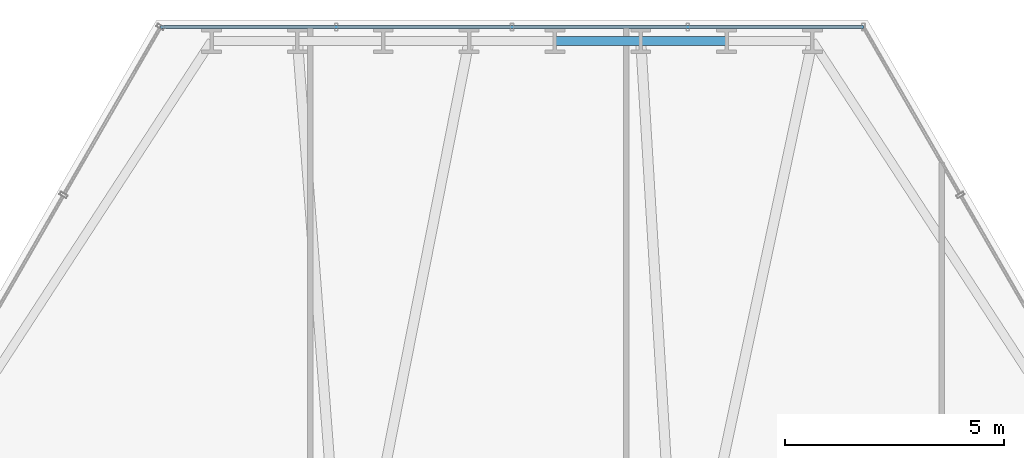
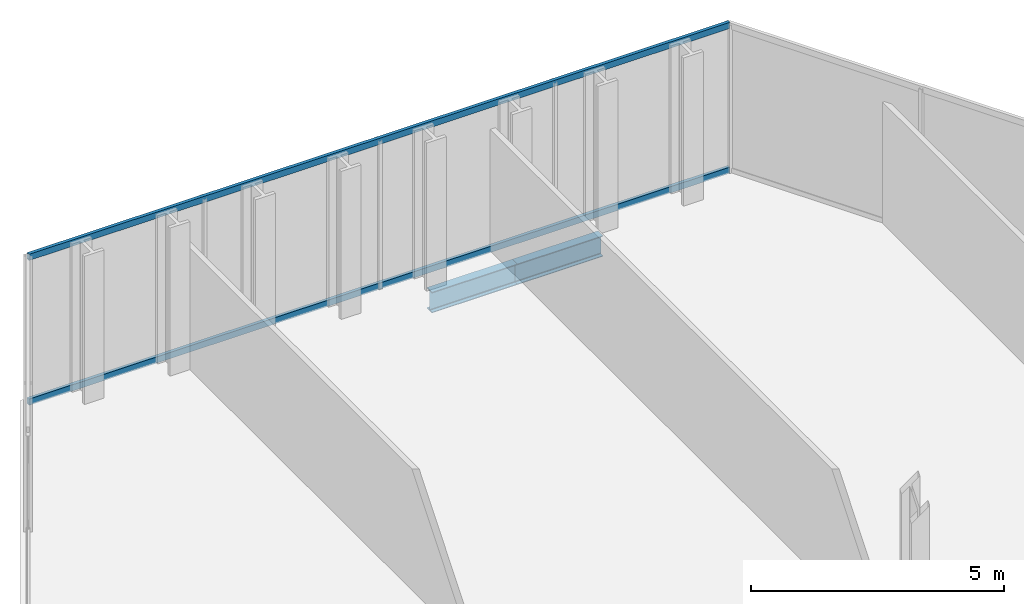
# One storey, part 23 of 32: 2 beams, 2 members, 1 element without a shape of its own.
"""IFC4 building model written with IfcOpenShell, lengths in metres."""

import ifcopenshell
import ifcopenshell.guid

model = None  # the IFC model being written
_history = None  # IfcOwnerHistory: only IFC2X3 demands one
_inside = {}  # id of a spatial element -> (the spatial element, [elements in it])
_under = {}  # id of a project, library or spatial element -> (it, [spatial elements below it])
_declared = {}  # id of a project -> (the project, [libraries it declares])
_typed = {}  # id of a type object -> (the type object, [elements of that type])
_made_of = {}  # id of a material, layer set ... -> (it, [elements and type objects made of it])


def new_model(schema):
    """Start an empty IFC model of exactly this schema.

    Asked for "IFC4X3", IfcOpenShell would pick the latest addendum, in which some entities
    have other attributes; the version numbers below select the first issue.
    IFC2X3 requires an IfcOwnerHistory on every rooted entity: one is made here for all.
    """
    global model, _history
    if schema == "IFC4X3":
        model = ifcopenshell.file(schema_version=(4, 3, 0, 0))
    else:
        model = ifcopenshell.file(schema=schema)
    _inside.clear()
    _under.clear()
    _declared.clear()
    _typed.clear()
    _made_of.clear()
    _history = None
    if model.schema == "IFC2X3":
        org = make("IfcOrganization", Name="unknown")
        user = make(
            "IfcPersonAndOrganization",
            ThePerson=make("IfcPerson", FamilyName="unknown"),
            TheOrganization=org,
        )
        app = make(
            "IfcApplication",
            ApplicationDeveloper=org,
            Version="unknown",
            ApplicationFullName="unknown",
            ApplicationIdentifier="unknown",
        )
        _history = make(
            "IfcOwnerHistory",
            OwningUser=user,
            OwningApplication=app,
            ChangeAction="ADDED",
            CreationDate=0,
        )
    return model


def make(cls, **values):
    """One entity of the class cls with the attributes given. An attribute that is None is left unset."""
    return model.create_entity(
        cls, **{name: value for name, value in values.items() if value is not None}
    )


def rooted(cls, **values):
    """An entity with a GlobalId (a new one), such as an element, a storey or a relation."""
    return make(cls, GlobalId=ifcopenshell.guid.new(), OwnerHistory=_history, **values)


def si_unit(unit_type, name, prefix=None):
    """IfcSIUnit, for example si_unit("LENGTHUNIT", "METRE", prefix="MILLI")."""
    return make("IfcSIUnit", UnitType=unit_type, Prefix=prefix, Name=name)


def assignment(units):
    """IfcUnitAssignment: the units of a project."""
    return None if units is None else make("IfcUnitAssignment", Units=units)


def point(xyz):
    """IfcCartesianPoint."""
    return None if xyz is None else make("IfcCartesianPoint", Coordinates=xyz)


def direction(xyz):
    """IfcDirection."""
    return None if xyz is None else make("IfcDirection", DirectionRatios=xyz)


def frame(location, z_axis=None, x_axis=None):
    """IfcAxis2Placement3D, a coordinate frame: its origin and axes. An axis left out is left unset."""
    return make(
        "IfcAxis2Placement3D",
        Location=point(location),
        Axis=direction(z_axis),
        RefDirection=direction(x_axis),
    )


def frame_2d(location, x_axis=None):
    """IfcAxis2Placement2D, a coordinate frame in the plane: its origin and x axis."""
    return make(
        "IfcAxis2Placement2D", Location=point(location), RefDirection=direction(x_axis)
    )


def origin():
    """The frame at (0, 0, 0) with its axes left unset."""
    return frame((0.0, 0.0, 0.0))


def origin_2d():
    """The frame at (0, 0) in the plane with its x axis left unset."""
    return frame_2d((0.0, 0.0))


def place(relative_to, where):
    """IfcLocalPlacement: puts the frame where relative to a parent placement (None: the world)."""
    return make(
        "IfcLocalPlacement", PlacementRelTo=relative_to, RelativePlacement=where
    )


def context(
    kind, dimensions, precision=None, world=None, true_north=None, identifier=None
):
    """IfcGeometricRepresentationContext, for example the 3D "Model" context."""
    return make(
        "IfcGeometricRepresentationContext",
        ContextIdentifier=identifier,
        ContextType=kind,
        CoordinateSpaceDimension=dimensions,
        Precision=precision,
        WorldCoordinateSystem=world,
        TrueNorth=true_north,
    )


def subcontext(parent, identifier, kind, view, scale=None):
    """IfcGeometricRepresentationSubContext, for example "Body" below "Model"."""
    return make(
        "IfcGeometricRepresentationSubContext",
        ContextIdentifier=identifier,
        ContextType=kind,
        ParentContext=parent,
        TargetScale=scale,
        TargetView=view,
    )


def project(units=None, contexts=None):
    """IfcProject with its units and contexts."""
    return rooted(
        "IfcProject",
        Name="project",
        RepresentationContexts=contexts,
        UnitsInContext=assignment(units),
    )


def spatial(cls, under=None, at=None, **own):
    """A site, building, storey or space (cls), placed at a placement, below another one or the project."""
    s = rooted(cls, ObjectPlacement=at, **own)
    if under is not None:
        _under.setdefault(under.id(), (under, []))[1].append(s)
    return s


def profile(cls, at=None, kind="AREA", **sizes):
    """A parametric profile (cls). Its sizes go by their IFC names, for example OverallWidth=200.0."""
    return make(cls, ProfileType=kind, Position=at, **sizes)


def hollow_rectangle(**sizes):
    """IfcRectangleHollowProfileDef."""
    return profile("IfcRectangleHollowProfileDef", **sizes)


def i_section(**sizes):
    """IfcIShapeProfileDef."""
    return profile("IfcIShapeProfileDef", **sizes)


def extrude(swept, where, along, depth):
    """IfcExtrudedAreaSolid: the profile swept, set in the frame where, extruded along a direction by depth."""
    return make(
        "IfcExtrudedAreaSolid",
        SweptArea=swept,
        Position=where,
        ExtrudedDirection=direction(along),
        Depth=depth,
    )


def shape(context_of_items, identifier, shape_type, items):
    """IfcShapeRepresentation: the items that make up one representation, for example the "Body"."""
    return make(
        "IfcShapeRepresentation",
        ContextOfItems=context_of_items,
        RepresentationIdentifier=identifier,
        RepresentationType=shape_type,
        Items=items,
    )


def material(Name=None, Category=None):
    """IfcMaterial."""
    return make("IfcMaterial", Name=Name, Category=Category)


def layer(
    of_material, thickness, ventilated=None, Name=None, Category=None, Priority=None
):
    """IfcMaterialLayer: one layer of a wall or slab, of a material (None: an air gap)."""
    return make(
        "IfcMaterialLayer",
        Material=of_material,
        LayerThickness=thickness,
        IsVentilated=ventilated,
        Name=Name,
        Category=Category,
        Priority=Priority,
    )


def layer_set(layers, Name=None):
    """IfcMaterialLayerSet."""
    return make("IfcMaterialLayerSet", MaterialLayers=layers, LayerSetName=Name)


def material_profile(
    of_material, cross_section, Name=None, Category=None, Priority=None
):
    """IfcMaterialProfile: a cross section and its material."""
    return make(
        "IfcMaterialProfile",
        Name=Name,
        Material=of_material,
        Profile=cross_section,
        Priority=Priority,
        Category=Category,
    )


def profile_set(profiles, Name=None, composite=None):
    """IfcMaterialProfileSet."""
    return make(
        "IfcMaterialProfileSet",
        Name=Name,
        MaterialProfiles=profiles,
        CompositeProfile=composite,
    )


def made_of(thing, what):
    """Note that an element or type object is made of a material, layer set ...; save() writes the relation."""
    if what is not None:
        _made_of.setdefault(what.id(), (what, []))[1].append(thing)
    return thing


def type_object(cls, material=None, **own):
    """A type object (cls), such as IfcWallType, which elements share."""
    return made_of(rooted(cls, **own), material)


def element(
    cls,
    number,
    at=None,
    inside=None,
    cuts=None,
    type_object=None,
    material=None,
    context=None,
    identifier="Body",
    shape_type=None,
    held_by="IfcProductDefinitionShape",
    body=None,
    shapes=None,
    **own,
):
    """One element of the class cls, such as IfcWall. Its Tag is "e" and its number.

    at: its placement. inside: the storey or other place that contains it. cuts: it is an
    opening in that element (IfcRelVoidsElement). A single representation is given by context,
    identifier, shape_type and body (its items); several are given by shapes. held_by: the class
    of the entity that holds the representations. save() writes the other relations.
    """
    e = rooted(cls, Tag="e%d" % number, ObjectPlacement=at, **own)
    if body is not None:
        shapes = [shape(context, identifier, shape_type, body)]
    if shapes is not None:
        e.Representation = make(held_by, Representations=shapes)
    if inside is not None:
        _inside.setdefault(inside.id(), (inside, []))[1].append(e)
    if cuts is not None:
        rooted(
            "IfcRelVoidsElement", RelatingBuildingElement=cuts, RelatedOpeningElement=e
        )
    if type_object is not None:
        _typed.setdefault(type_object.id(), (type_object, []))[1].append(e)
    return made_of(e, material)


def aggregate(whole, parts):
    """IfcRelAggregates: a whole, such as a stair, and the parts it consists of."""
    return rooted("IfcRelAggregates", RelatingObject=whole, RelatedObjects=parts)


def save(model, path):
    """Write the relations noted so far, then the file.

    IfcRelAggregates (storeys below a building ...), IfcRelContainedInSpatialStructure (elements
    in a storey), IfcRelDefinesByType, IfcRelAssociatesMaterial and IfcRelDeclares: one each for
    every whole, place, type object, material and project.
    """
    for whole, parts in _under.values():
        aggregate(whole, parts)
    for where, things in _inside.values():
        rooted(
            "IfcRelContainedInSpatialStructure",
            RelatedElements=things,
            RelatingStructure=where,
        )
    for kind, things in _typed.values():
        rooted("IfcRelDefinesByType", RelatedObjects=things, RelatingType=kind)
    for what, things in _made_of.values():
        rooted("IfcRelAssociatesMaterial", RelatedObjects=things, RelatingMaterial=what)
    for by, libraries in _declared.values():
        rooted("IfcRelDeclares", RelatingContext=by, RelatedDefinitions=libraries)
    model.write(path)


model = new_model("IFC4")

# Units and contexts
model_context = context("Model", 3, precision=1e-05, world=origin(), true_north=direction((0.0, 1.0)))
body_context = subcontext(model_context, "Body", "Model", "MODEL_VIEW")
ifc_project = project(units=[si_unit("LENGTHUNIT", "METRE"), si_unit("AREAUNIT", "SQUARE_METRE"), si_unit("VOLUMEUNIT", "CUBIC_METRE"), si_unit("PLANEANGLEUNIT", "RADIAN"), si_unit("MASSUNIT", "GRAM", prefix="KILO")], contexts=[model_context])

# Site, building, storey
site_placement = place(None, origin())
site = spatial("IfcSite", under=ifc_project, at=site_placement, CompositionType="ELEMENT")
building_placement = place(site_placement, origin())
building = spatial("IfcBuilding", under=site, at=building_placement, Name="Ndaravel Arena Tower", CompositionType="ELEMENT")
storey_placement = place(building_placement, frame((0.0, 0.0, 51.199951171875)))
storey = spatial("IfcBuildingStorey", under=building, at=storey_placement, Name="L10", CompositionType="ELEMENT", Elevation=51.199951171875)

# Beams
ifc_material_1 = material(Name="Steel S355", Category="steel")
ifc_material_profile_1 = material_profile(ifc_material_1, i_section(OverallWidth=0.199951171875, OverallDepth=0.5, WebThickness=0.01025390625, FlangeThickness=0.01611328125, FilletRadius=0.02099609375, at=origin_2d()), Name="IPE 500")
ifc_profile_set_1 = profile_set([ifc_material_profile_1], Name="Steel S355")
beam_type = type_object("IfcBeamType", Name="BM-SPAN-IPE500", PredefinedType="SPANDREL", material=ifc_profile_set_1)
beam_1_placement = place(storey_placement, frame((46.892822265625, 45.531494140625, -0.469970703125), z_axis=(-1.0, 0.0, 0.0), x_axis=(0.0, -1.0, 0.0)))
element("IfcBeam", 1, at=beam_1_placement, inside=storey, type_object=beam_type, Name="L10 Perimeter Spandrel Beam SP-12", PredefinedType="SPANDREL", context=body_context, shape_type="SweptSolid", body=[
    extrude(i_section(OverallWidth=0.199951171875, OverallDepth=0.5, WebThickness=0.01025390625, FlangeThickness=0.01611328125, FilletRadius=0.02099609375, at=origin_2d()), origin(), (0.0, 0.0, 1.0), 1.95703125),
])
beam_2_placement = place(storey_placement, frame((44.935791015625, 45.531494140625, -0.469970703125), z_axis=(-1.0, 0.0, 0.0), x_axis=(0.0, -1.0, 0.0)))
element("IfcBeam", 2, at=beam_2_placement, inside=storey, type_object=beam_type, Name="L10 Perimeter Spandrel Beam SP-13", PredefinedType="SPANDREL", context=body_context, shape_type="SweptSolid", body=[
    extrude(i_section(OverallWidth=0.199951171875, OverallDepth=0.5, WebThickness=0.01025390625, FlangeThickness=0.01611328125, FilletRadius=0.02099609375, at=origin_2d()), origin(), (0.0, 0.0, 1.0), 1.957275390625),
])

# Curtain wall, members
ifc_material_2 = material(Name="Aluminium", Category="aluminium")
ifc_layer = layer(ifc_material_2, 0.179931640625)
ifc_layer_set = layer_set([ifc_layer], Name="Aluminium")
curtain_wall_type = type_object("IfcCurtainWallType", Name="CW-SYS-01", PredefinedType="NOTDEFINED", material=ifc_layer_set)
curtain_wall_placement = place(storey_placement, origin())
curtain_wall = element("IfcCurtainWall", 3, at=curtain_wall_placement, inside=storey, type_object=curtain_wall_type, Name="L10 Faceted Crystal Curtain Wall CW-L10-E04", PredefinedType="NOTDEFINED")
ifc_material_3 = material(Name="Aluminium", Category="aluminium")
ifc_material_profile_2 = material_profile(ifc_material_3, hollow_rectangle(XDim=0.074951171875, YDim=0.14990234375, WallThickness=0.00390625, at=origin_2d()), Name="CW TRANSOM 75x150x4")
ifc_profile_set_2 = profile_set([ifc_material_profile_2], Name="Aluminium")
member_type = type_object("IfcMemberType", Name="MEM-CW-TRN150", PredefinedType="USERDEFINED", material=ifc_profile_set_2)
member_1_placement = place(storey_placement, frame((50.01318359375, 45.851318359375, 0.0400390625), z_axis=(-1.0, 0.0, 0.0), x_axis=(0.0, -1.0, 0.0)))
member_1 = element("IfcMember", 4, at=member_1_placement, type_object=member_type, Name="CW-L10-E04 Transom 01", ObjectType="TRANSOM", PredefinedType="USERDEFINED", context=body_context, shape_type="SweptSolid", body=[
    extrude(hollow_rectangle(XDim=0.074951171875, YDim=0.14990234375, WallThickness=0.00390625, at=origin_2d()), origin(), (0.0, 0.0, 1.0), 16.0263671875),
])
member_2_placement = place(storey_placement, frame((50.01318359375, 45.851318359375, 3.5400390625), z_axis=(-1.0, 0.0, 0.0), x_axis=(0.0, -1.0, 0.0)))
member_2 = element("IfcMember", 5, at=member_2_placement, type_object=member_type, Name="CW-L10-E04 Transom 02", ObjectType="TRANSOM", PredefinedType="USERDEFINED", context=body_context, shape_type="SweptSolid", body=[
    extrude(hollow_rectangle(XDim=0.074951171875, YDim=0.14990234375, WallThickness=0.00390625, at=origin_2d()), origin(), (0.0, 0.0, 1.0), 16.0263671875),
])
aggregate(curtain_wall, [member_1, member_2])

save(model, "model.ifc")
